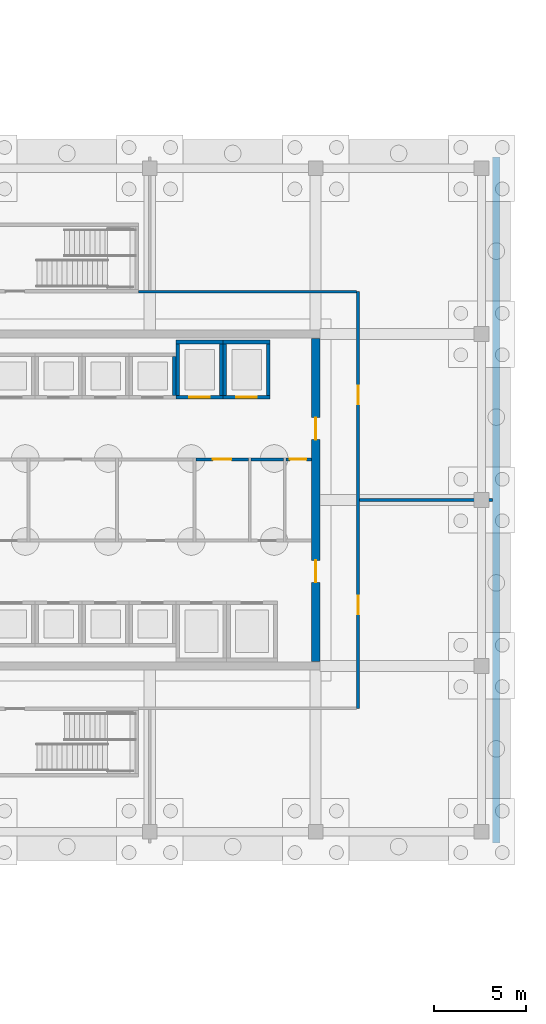
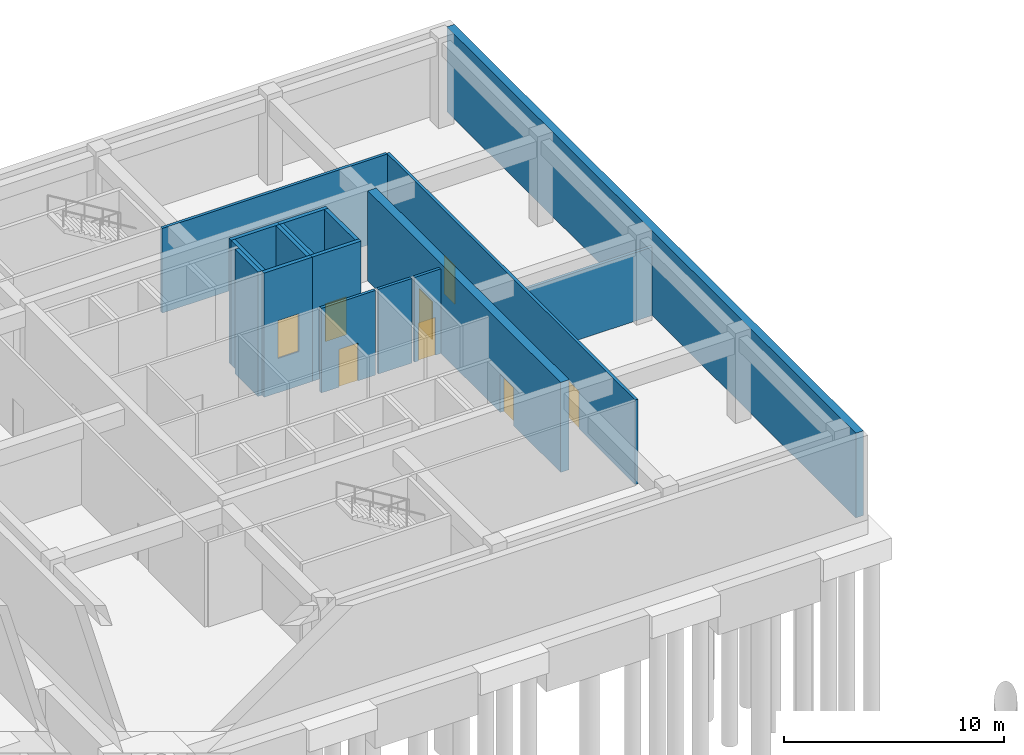
# One storey, part 13 of 17: 17 walls, 8 doors, 8 openings.
"""IFC4 building model written with IfcOpenShell, lengths in metres."""

from ifc_helpers import new_model, si_unit, direction, frame, frame_2d, origin, place, context, subcontext, project, spatial, rectangle, extrude, material, layer, layer_set, type_object, element, fill, save


model = new_model("IFC4")

# Units and contexts
model_context = context("Model", 3, precision=1e-05, world=origin(), true_north=direction((0.0, 1.0)))
body_context = subcontext(model_context, "Body", "Model", "MODEL_VIEW")
ifc_project = project(units=[si_unit("LENGTHUNIT", "METRE"), si_unit("AREAUNIT", "SQUARE_METRE"), si_unit("VOLUMEUNIT", "CUBIC_METRE"), si_unit("PLANEANGLEUNIT", "RADIAN"), si_unit("MASSUNIT", "GRAM", prefix="KILO")], contexts=[model_context])

# Site, building, storey
site_placement = place(None, origin())
site = spatial("IfcSite", under=ifc_project, at=site_placement, CompositionType="ELEMENT")
building_placement = place(site_placement, origin())
building = spatial("IfcBuilding", under=site, at=building_placement, Name="Tuart Plaza Theatre", CompositionType="ELEMENT")
storey_placement = place(building_placement, frame((0.0, 0.0, -10.0)))
storey = spatial("IfcBuildingStorey", under=building, at=storey_placement, Name="B2", CompositionType="ELEMENT", Elevation=-10.0)

# Wall, opening, door
ifc_material_1 = material(Name="Masonry block", Category="masonry")
ifc_layer_1 = layer(ifc_material_1, 0.14990234375)
ifc_layer_set_1 = layer_set([ifc_layer_1], Name="PARTITION BLK150 MASONRYB FRL -/120/120")
wall_type_1 = type_object("IfcWallType", Name="PARTITION BLK150 MASONRYB FRL -/120/120", PredefinedType="PARTITIONING", material=ifc_layer_set_1)
wall_1_placement = place(storey_placement, frame((134.5, 76.199951171875, 0.0), z_axis=(0.0, 0.0, 1.0), x_axis=(1.0, 0.0, 0.0)))
wall_1 = element("IfcWall", 1, at=wall_1_placement, inside=storey, type_object=wall_type_1, Name="P519", PredefinedType="PARTITIONING", context=body_context, shape_type="SweptSolid", body=[
    extrude(rectangle(XDim=2.85009765625, YDim=0.14990234375, at=frame_2d((1.425048828125, 0.0))), origin(), (0.0, 0.0, 1.0), 4.699951171875),
])
opening_1_placement = place(wall_1_placement, frame((0.925048828125, 0.0, 0.0)))
opening_1 = element("IfcOpeningElement", 2, at=opening_1_placement, cuts=wall_1, Name="Opening B2-047", PredefinedType="OPENING", context=body_context, shape_type="SweptSolid", body=[
    extrude(rectangle(XDim=1.0, YDim=2.10009765625, at=frame_2d((0.5, 1.050048828125))), frame((0.0, 0.0849609375, 0.0), z_axis=(0.0, -1.0, 0.0), x_axis=(1.0, 0.0, 0.0)), (0.0, 0.0, 1.0), 0.169921875),
])
ifc_material_2 = material(Name="Steel Grade 300", Category="steel")
door_type_1 = type_object("IfcDoorType", Name="DOOR 1000x2100 steel single swing FRL -/120/30", OperationType="SINGLE_SWING_LEFT", PredefinedType="DOOR", material=ifc_material_2)
door_1_placement = place(opening_1_placement, frame((1.0, 0.0, 0.0), z_axis=(0.0, 0.0, 1.0), x_axis=(-1.0, 0.0, 0.0)))
door_1 = element("IfcDoor", 3, at=door_1_placement, inside=storey, type_object=door_type_1, Name="B2-047", OperationType="SINGLE_SWING_LEFT", OverallHeight=2.10009765625, OverallWidth=1.0, PredefinedType="DOOR", context=body_context, shape_type="SweptSolid", body=[
    extrude(rectangle(XDim=1.0, YDim=2.10009765625, at=frame_2d((0.5, 1.050048828125))), frame((0.0, 0.02490234375, 0.0), z_axis=(0.0, -1.0, 0.0), x_axis=(1.0, 0.0, 0.0)), (0.0, 0.0, 1.0), 0.050048828125),
])
fill(opening_1, door_1)

# Wall
wall_2_placement = place(storey_placement, frame((137.5, 76.199951171875, 0.0), z_axis=(0.0, 0.0, 1.0), x_axis=(1.0, 0.0, 0.0)))
element("IfcWall", 4, at=wall_2_placement, inside=storey, type_object=wall_type_1, Name="P522", PredefinedType="PARTITIONING", context=body_context, shape_type="SweptSolid", body=[
    extrude(rectangle(XDim=1.75, YDim=0.14990234375, at=frame_2d((0.875, 0.0))), origin(), (0.0, 0.0, 1.0), 4.699951171875),
])

# Wall, opening, door
wall_3_placement = place(storey_placement, frame((139.39990234375, 76.199951171875, 0.0), z_axis=(0.0, 0.0, 1.0), x_axis=(1.0, 0.0, 0.0)))
wall_3 = element("IfcWall", 5, at=wall_3_placement, inside=storey, type_object=wall_type_1, Name="P524", PredefinedType="PARTITIONING", context=body_context, shape_type="SweptSolid", body=[
    extrude(rectangle(XDim=1.375, YDim=0.14990234375, at=frame_2d((0.6875, 0.0))), origin(), (0.0, 0.0, 1.0), 4.699951171875),
])
opening_2_placement = place(wall_3_placement, frame((0.199951171875, 0.0, 0.0)))
opening_2 = element("IfcOpeningElement", 6, at=opening_2_placement, cuts=wall_3, Name="Opening B2-049", PredefinedType="OPENING", context=body_context, shape_type="SweptSolid", body=[
    extrude(rectangle(XDim=0.89990234375, YDim=2.10009765625, at=frame_2d((0.449951171875, 1.050048828125))), frame((0.0, 0.0849609375, 0.0), z_axis=(0.0, -1.0, 0.0), x_axis=(1.0, 0.0, 0.0)), (0.0, 0.0, 1.0), 0.169921875),
])
ifc_material_3 = material(Name="Steel Grade 300", Category="steel")
door_type_2 = type_object("IfcDoorType", Name="DOOR 900x2100 steel single swing FRL -/120/30", OperationType="SINGLE_SWING_LEFT", PredefinedType="DOOR", material=ifc_material_3)
door_2_placement = place(opening_2_placement, frame((0.89990234375, 0.0, 0.0), z_axis=(0.0, 0.0, 1.0), x_axis=(-1.0, 0.0, 0.0)))
door_2 = element("IfcDoor", 7, at=door_2_placement, inside=storey, type_object=door_type_2, Name="B2-049", OperationType="SINGLE_SWING_LEFT", OverallHeight=2.10009765625, OverallWidth=0.89990234375, PredefinedType="DOOR", context=body_context, shape_type="SweptSolid", body=[
    extrude(rectangle(XDim=0.89990234375, YDim=2.10009765625, at=frame_2d((0.449951171875, 1.050048828125))), frame((0.0, 0.02490234375, 0.0), z_axis=(0.0, -1.0, 0.0), x_axis=(1.0, 0.0, 0.0)), (0.0, 0.0, 1.0), 0.050048828125),
])
fill(opening_2, door_2)

# Wall
ifc_material_4 = material(Name="Masonry block", Category="masonry")
ifc_layer_2 = layer(ifc_material_4, 0.14990234375)
ifc_layer_set_2 = layer_set([ifc_layer_2], Name="PARTITION BLK150 MASONRYB FRL 120/-/-")
wall_type_2 = type_object("IfcWallType", Name="PARTITION BLK150 MASONRYB FRL 120/-/-", PredefinedType="PARTITIONING", material=ifc_layer_set_2)
wall_4_placement = place(storey_placement, frame((131.39990234375, 85.300048828125, 0.0), z_axis=(0.0, 0.0, 1.0), x_axis=(1.0, 0.0, 0.0)))
element("IfcWall", 8, at=wall_4_placement, inside=storey, type_object=wall_type_2, Name="P529", PredefinedType="PARTITIONING", context=body_context, shape_type="SweptSolid", body=[
    extrude(rectangle(XDim=11.8251953125, YDim=0.14990234375, at=frame_2d((5.91259765625, 0.0))), origin(), (0.0, 0.0, 1.0), 4.699951171875),
])

# Wall, openings, doors
wall_5_placement = place(storey_placement, frame((143.300048828125, 85.300048828125, 0.0), z_axis=(0.0, 0.0, 1.0), x_axis=(0.0, -1.0, 0.0)))
wall_5 = element("IfcWall", 9, at=wall_5_placement, inside=storey, type_object=wall_type_2, Name="P530", PredefinedType="PARTITIONING", context=body_context, shape_type="SweptSolid", body=[
    extrude(rectangle(XDim=22.60009765625, YDim=0.14990234375, at=frame_2d((11.300048828125, 0.0))), origin(), (0.0, 0.0, 1.0), 4.699951171875),
])
opening_3_placement = place(wall_5_placement, frame((16.487548828125, 0.0, 0.0)))
opening_3 = element("IfcOpeningElement", 10, at=opening_3_placement, cuts=wall_5, Name="Opening B2-050", PredefinedType="OPENING", context=body_context, shape_type="SweptSolid", body=[
    extrude(rectangle(XDim=1.0, YDim=2.10009765625, at=frame_2d((0.5, 1.050048828125))), frame((0.0, 0.0849609375, 0.0), z_axis=(0.0, -1.0, 0.0), x_axis=(1.0, 0.0, 0.0)), (0.0, 0.0, 1.0), 0.169921875),
])
opening_4_placement = place(wall_5_placement, frame((5.112548828125, 0.0, 0.0)))
opening_4 = element("IfcOpeningElement", 11, at=opening_4_placement, cuts=wall_5, Name="Opening B2-053", PredefinedType="OPENING", context=body_context, shape_type="SweptSolid", body=[
    extrude(rectangle(XDim=1.0, YDim=2.10009765625, at=frame_2d((0.5, 1.050048828125))), frame((0.0, 0.0849609375, 0.0), z_axis=(0.0, -1.0, 0.0), x_axis=(1.0, 0.0, 0.0)), (0.0, 0.0, 1.0), 0.169921875),
])
ifc_material_5 = material(Name="Timber", Category="wood")
door_type_3 = type_object("IfcDoorType", Name="DOOR 1000x2100 timber single swing FRL -/60/30", OperationType="SINGLE_SWING_LEFT", PredefinedType="DOOR", material=ifc_material_5)
door_3_placement = place(opening_3_placement, origin())
door_3 = element("IfcDoor", 12, at=door_3_placement, inside=storey, type_object=door_type_3, Name="B2-050", OperationType="SINGLE_SWING_LEFT", OverallHeight=2.10009765625, OverallWidth=1.0, PredefinedType="DOOR", context=body_context, shape_type="SweptSolid", body=[
    extrude(rectangle(XDim=1.0, YDim=2.10009765625, at=frame_2d((0.5, 1.050048828125))), frame((0.0, 0.02490234375, 0.0), z_axis=(0.0, -1.0, 0.0), x_axis=(1.0, 0.0, 0.0)), (0.0, 0.0, 1.0), 0.050048828125),
])
fill(opening_3, door_3)
door_4_placement = place(opening_4_placement, origin())
door_4 = element("IfcDoor", 13, at=door_4_placement, inside=storey, type_object=door_type_3, Name="B2-053", OperationType="SINGLE_SWING_RIGHT", OverallHeight=2.10009765625, OverallWidth=1.0, PredefinedType="DOOR", context=body_context, shape_type="SweptSolid", body=[
    extrude(rectangle(XDim=1.0, YDim=2.10009765625, at=frame_2d((0.5, 1.050048828125))), frame((0.0, 0.02490234375, 0.0), z_axis=(0.0, -1.0, 0.0), x_axis=(1.0, 0.0, 0.0)), (0.0, 0.0, 1.0), 0.050048828125),
])
fill(opening_4, door_4)

# Walls
wall_6_placement = place(storey_placement, frame((143.3740234375, 74.0, 0.0), z_axis=(0.0, 0.0, 1.0), x_axis=(1.0, 0.0, 0.0)))
element("IfcWall", 14, at=wall_6_placement, inside=storey, type_object=wall_type_2, Name="P534", PredefinedType="PARTITIONING", context=body_context, shape_type="SweptSolid", body=[
    extrude(rectangle(XDim=7.22705078125, YDim=0.14990234375, at=frame_2d((3.613525390625, 0.0))), origin(), (0.0, 0.0, 1.0), 3.800048828125),
])
ifc_material_6 = material(Name="Concrete N40 (40 MPa)", Category="concrete")
ifc_layer_3 = layer(ifc_material_6, 0.199951171875)
ifc_layer_set_3 = layer_set([ifc_layer_3], Name="SHEAR WALL RC200 FRL 120/120/120")
wall_type_3 = type_object("IfcWallType", Name="SHEAR WALL RC200 FRL 120/120/120", PredefinedType="SHEAR", material=ifc_layer_set_3)
wall_7_placement = place(storey_placement, frame((133.324951171875, 79.675048828125, -1.89990234375), z_axis=(0.0, 0.0, 1.0), x_axis=(0.0, 1.0, 0.0)))
element("IfcWall", 15, at=wall_7_placement, inside=storey, type_object=wall_type_3, Name="W935", PredefinedType="SHEAR", context=body_context, shape_type="SweptSolid", body=[
    extrude(rectangle(XDim=2.099853515625, YDim=0.199951171875, at=frame_2d((1.0498046875, 0.0))), origin(), (0.0, 0.0, 1.0), 6.89990234375),
])

# Wall, opening, door
wall_8_placement = place(storey_placement, frame((133.425048828125, 79.574951171875, -1.89990234375), z_axis=(0.0, 0.0, 1.0), x_axis=(1.0, 0.0, 0.0)))
wall_8 = element("IfcWall", 16, at=wall_8_placement, inside=storey, type_object=wall_type_3, Name="W1158", PredefinedType="SHEAR", context=body_context, shape_type="SweptSolid", body=[
    extrude(rectangle(XDim=2.550048828125, YDim=0.199951171875, at=frame_2d((1.27490234375, 0.0))), origin(), (0.0, 0.0, 1.0), 6.89990234375),
])
opening_5_placement = place(wall_8_placement, frame((0.72509765625, 0.0, 1.89990234375)))
opening_5 = element("IfcOpeningElement", 17, at=opening_5_placement, cuts=wall_8, Name="Opening B2-036", PredefinedType="OPENING", context=body_context, shape_type="SweptSolid", body=[
    extrude(rectangle(XDim=1.10009765625, YDim=2.10009765625, at=frame_2d((0.550048828125, 1.050048828125))), frame((0.0, 0.10986328125, 0.0), z_axis=(0.0, -1.0, 0.0), x_axis=(1.0, 0.0, 0.0)), (0.0, 0.0, 1.0), 0.219970703125),
])
ifc_material_7 = material(Name="Steel Grade 300", Category="steel")
door_type_4 = type_object("IfcDoorType", Name="LANDING DOOR 1100x2100 steel sliding FRL -/120/30", OperationType="SLIDING_TO_LEFT", PredefinedType="DOOR", material=ifc_material_7)
door_5_placement = place(opening_5_placement, origin())
door_5 = element("IfcDoor", 18, at=door_5_placement, inside=storey, type_object=door_type_4, Name="B2-036", OperationType="SLIDING_TO_LEFT", OverallHeight=2.10009765625, OverallWidth=1.10009765625, PredefinedType="DOOR", context=body_context, shape_type="SweptSolid", body=[
    extrude(rectangle(XDim=1.10009765625, YDim=2.10009765625, at=frame_2d((0.550048828125, 1.050048828125))), frame((0.0, 0.02490234375, 0.0), z_axis=(0.0, -1.0, 0.0), x_axis=(1.0, 0.0, 0.0)), (0.0, 0.0, 1.0), 0.050048828125),
])
fill(opening_5, door_5)

# Walls
wall_9_placement = place(storey_placement, frame((135.875, 79.675048828125, -1.89990234375), z_axis=(0.0, 0.0, 1.0), x_axis=(0.0, 1.0, 0.0)))
element("IfcWall", 19, at=wall_9_placement, inside=storey, type_object=wall_type_3, Name="W1159", PredefinedType="SHEAR", context=body_context, shape_type="SweptSolid", body=[
    extrude(rectangle(XDim=2.800048828125, YDim=0.199951171875, at=frame_2d((1.39990234375, 0.0))), origin(), (0.0, 0.0, 1.0), 6.89990234375),
])
wall_10_placement = place(storey_placement, frame((135.97509765625, 82.574951171875, -1.89990234375), z_axis=(0.0, 0.0, 1.0), x_axis=(-1.0, 0.0, 0.0)))
element("IfcWall", 20, at=wall_10_placement, inside=storey, type_object=wall_type_3, Name="W1160", PredefinedType="SHEAR", context=body_context, shape_type="SweptSolid", body=[
    extrude(rectangle(XDim=2.550048828125, YDim=0.199951171875, at=frame_2d((1.27490234375, 0.0))), origin(), (0.0, 0.0, 1.0), 6.89990234375),
])
wall_11_placement = place(storey_placement, frame((133.52490234375, 82.47509765625, -1.89990234375), z_axis=(0.0, 0.0, 1.0), x_axis=(0.0, -1.0, 0.0)))
element("IfcWall", 21, at=wall_11_placement, inside=storey, type_object=wall_type_3, Name="W1161", PredefinedType="SHEAR", context=body_context, shape_type="SweptSolid", body=[
    extrude(rectangle(XDim=2.800048828125, YDim=0.199951171875, at=frame_2d((1.39990234375, 0.0))), origin(), (0.0, 0.0, 1.0), 6.89990234375),
])

# Wall, opening, door
wall_12_placement = place(storey_placement, frame((135.97509765625, 79.574951171875, -1.89990234375), z_axis=(0.0, 0.0, 1.0), x_axis=(1.0, 0.0, 0.0)))
wall_12 = element("IfcWall", 22, at=wall_12_placement, inside=storey, type_object=wall_type_3, Name="W1234", PredefinedType="SHEAR", context=body_context, shape_type="SweptSolid", body=[
    extrude(rectangle(XDim=2.5498046875, YDim=0.199951171875, at=frame_2d((1.27490234375, 0.0))), origin(), (0.0, 0.0, 1.0), 6.89990234375),
])
opening_6_placement = place(wall_12_placement, frame((0.72509765625, 0.0, 1.89990234375)))
opening_6 = element("IfcOpeningElement", 23, at=opening_6_placement, cuts=wall_12, Name="Opening B2-037", PredefinedType="OPENING", context=body_context, shape_type="SweptSolid", body=[
    extrude(rectangle(XDim=1.10009765625, YDim=2.10009765625, at=frame_2d((0.550048828125, 1.050048828125))), frame((0.0, 0.10986328125, 0.0), z_axis=(0.0, -1.0, 0.0), x_axis=(1.0, 0.0, 0.0)), (0.0, 0.0, 1.0), 0.219970703125),
])
door_6_placement = place(opening_6_placement, origin())
door_6 = element("IfcDoor", 24, at=door_6_placement, inside=storey, type_object=door_type_4, Name="B2-037", OperationType="SLIDING_TO_LEFT", OverallHeight=2.10009765625, OverallWidth=1.10009765625, PredefinedType="DOOR", context=body_context, shape_type="SweptSolid", body=[
    extrude(rectangle(XDim=1.10009765625, YDim=2.10009765625, at=frame_2d((0.550048828125, 1.050048828125))), frame((0.0, 0.02490234375, 0.0), z_axis=(0.0, -1.0, 0.0), x_axis=(1.0, 0.0, 0.0)), (0.0, 0.0, 1.0), 0.050048828125),
])
fill(opening_6, door_6)

# Walls
wall_13_placement = place(storey_placement, frame((138.425048828125, 79.675048828125, -1.89990234375), z_axis=(0.0, 0.0, 1.0), x_axis=(0.0, 1.0, 0.0)))
element("IfcWall", 25, at=wall_13_placement, inside=storey, type_object=wall_type_3, Name="W1235", PredefinedType="SHEAR", context=body_context, shape_type="SweptSolid", body=[
    extrude(rectangle(XDim=2.800048828125, YDim=0.199951171875, at=frame_2d((1.39990234375, 0.0))), origin(), (0.0, 0.0, 1.0), 6.89990234375),
])
wall_14_placement = place(storey_placement, frame((138.52490234375, 82.574951171875, -1.89990234375), z_axis=(0.0, 0.0, 1.0), x_axis=(-1.0, 0.0, 0.0)))
element("IfcWall", 26, at=wall_14_placement, inside=storey, type_object=wall_type_3, Name="W1236", PredefinedType="SHEAR", context=body_context, shape_type="SweptSolid", body=[
    extrude(rectangle(XDim=2.5498046875, YDim=0.199951171875, at=frame_2d((1.27490234375, 0.0))), origin(), (0.0, 0.0, 1.0), 6.89990234375),
])
wall_15_placement = place(storey_placement, frame((136.074951171875, 82.47509765625, -1.89990234375), z_axis=(0.0, 0.0, 1.0), x_axis=(0.0, -1.0, 0.0)))
element("IfcWall", 27, at=wall_15_placement, inside=storey, type_object=wall_type_3, Name="W1237", PredefinedType="SHEAR", context=body_context, shape_type="SweptSolid", body=[
    extrude(rectangle(XDim=2.800048828125, YDim=0.199951171875, at=frame_2d((1.39990234375, 0.0))), origin(), (0.0, 0.0, 1.0), 6.89990234375),
])

# Wall, openings, doors
ifc_material_8 = material(Name="Concrete N50 (50 MPa)", Category="concrete")
ifc_layer_4 = layer(ifc_material_8, 0.449951171875)
ifc_layer_set_4 = layer_set([ifc_layer_4], Name="SHEAR WALL RC450 N50 FRL 120/120/120")
wall_type_4 = type_object("IfcWallType", Name="SHEAR WALL RC450 N50 FRL 120/120/120", PredefinedType="SHEAR", material=ifc_layer_set_4)
wall_16_placement = place(storey_placement, frame((141.0, 65.22509765625, 0.0), z_axis=(0.0, 0.0, 1.0), x_axis=(0.0, 1.0, 0.0)))
wall_16 = element("IfcWall", 28, at=wall_16_placement, inside=storey, type_object=wall_type_4, Name="W340", PredefinedType="SHEAR", context=body_context, shape_type="SweptSolid", body=[
    extrude(rectangle(XDim=17.5498046875, YDim=0.449951171875, at=frame_2d((8.77490234375, 0.0))), origin(), (0.0, 0.0, 1.0), 5.0),
])
opening_7_placement = place(wall_16_placement, frame((4.300048828125, 0.0, 0.0)))
opening_7 = element("IfcOpeningElement", 29, at=opening_7_placement, cuts=wall_16, Name="Opening B2-041", PredefinedType="OPENING", context=body_context, shape_type="SweptSolid", body=[
    extrude(rectangle(XDim=1.199951171875, YDim=2.10009765625, at=frame_2d((0.60009765625, 1.050048828125))), frame((0.0, 0.23486328125, 0.0), z_axis=(0.0, -1.0, 0.0), x_axis=(1.0, 0.0, 0.0)), (0.0, 0.0, 1.0), 0.469970703125),
])
opening_8_placement = place(wall_16_placement, frame((12.050048828125, 0.0, 0.0)))
opening_8 = element("IfcOpeningElement", 30, at=opening_8_placement, cuts=wall_16, Name="Opening B2-043", PredefinedType="OPENING", context=body_context, shape_type="SweptSolid", body=[
    extrude(rectangle(XDim=1.199951171875, YDim=2.10009765625, at=frame_2d((0.60009765625, 1.050048828125))), frame((0.0, 0.23486328125, 0.0), z_axis=(0.0, -1.0, 0.0), x_axis=(1.0, 0.0, 0.0)), (0.0, 0.0, 1.0), 0.469970703125),
])
ifc_material_9 = material(Name="Steel Grade 300", Category="steel")
door_type_5 = type_object("IfcDoorType", Name="DOOR 1200x2100 steel single swing FRL -/120/30", OperationType="SINGLE_SWING_LEFT", PredefinedType="DOOR", material=ifc_material_9)
door_7_placement = place(opening_7_placement, origin())
door_7 = element("IfcDoor", 31, at=door_7_placement, inside=storey, type_object=door_type_5, Name="B2-041", OperationType="SINGLE_SWING_LEFT", OverallHeight=2.10009765625, OverallWidth=1.199951171875, PredefinedType="DOOR", context=body_context, shape_type="SweptSolid", body=[
    extrude(rectangle(XDim=1.199951171875, YDim=2.10009765625, at=frame_2d((0.60009765625, 1.050048828125))), frame((0.0, 0.02490234375, 0.0), z_axis=(0.0, -1.0, 0.0), x_axis=(1.0, 0.0, 0.0)), (0.0, 0.0, 1.0), 0.050048828125),
])
fill(opening_7, door_7)
door_8_placement = place(opening_8_placement, origin())
door_8 = element("IfcDoor", 32, at=door_8_placement, inside=storey, type_object=door_type_5, Name="B2-043", OperationType="SINGLE_SWING_RIGHT", OverallHeight=2.10009765625, OverallWidth=1.199951171875, PredefinedType="DOOR", context=body_context, shape_type="SweptSolid", body=[
    extrude(rectangle(XDim=1.199951171875, YDim=2.10009765625, at=frame_2d((0.60009765625, 1.050048828125))), frame((0.0, 0.02490234375, 0.0), z_axis=(0.0, -1.0, 0.0), x_axis=(1.0, 0.0, 0.0)), (0.0, 0.0, 1.0), 0.050048828125),
])
fill(opening_8, door_8)

# Wall
ifc_material_10 = material(Name="Concrete N40 (40 MPa)", Category="concrete")
ifc_layer_5 = layer(ifc_material_10, 0.39990234375)
ifc_layer_set_5 = layer_set([ifc_layer_5], Name="WALL RC400 LB FRL 120/120/120")
wall_type_5 = type_object("IfcWallType", Name="WALL RC400 LB FRL 120/120/120", PredefinedType="SOLIDWALL", material=ifc_layer_set_5)
wall_17_placement = place(storey_placement, frame((150.800048828125, 55.39990234375, 0.0), z_axis=(0.0, 0.0, 1.0), x_axis=(0.0, 1.0, 0.0)))
element("IfcWall", 33, at=wall_17_placement, inside=storey, type_object=wall_type_5, Name="W452", PredefinedType="SOLIDWALL", context=body_context, shape_type="SweptSolid", body=[
    extrude(rectangle(XDim=37.2001953125, YDim=0.39990234375, at=frame_2d((18.60009765625, 0.0))), origin(), (0.0, 0.0, 1.0), 4.699951171875),
])

save(model, "model.ifc")
